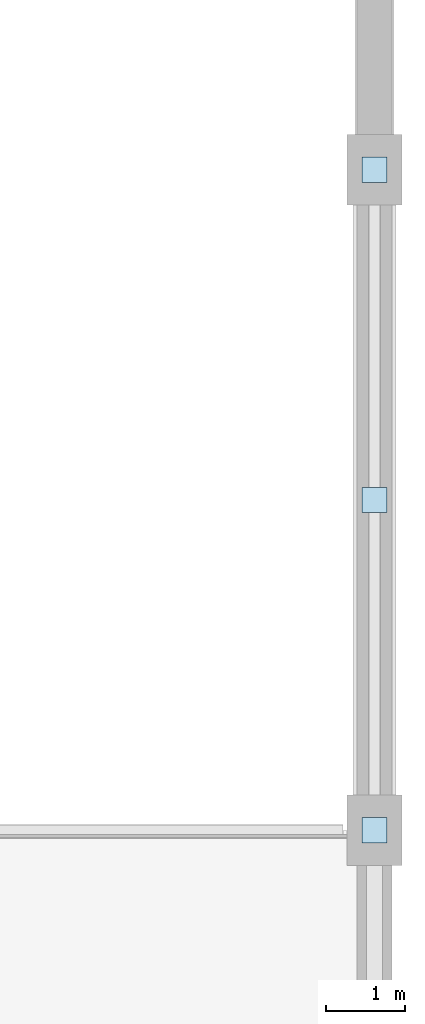
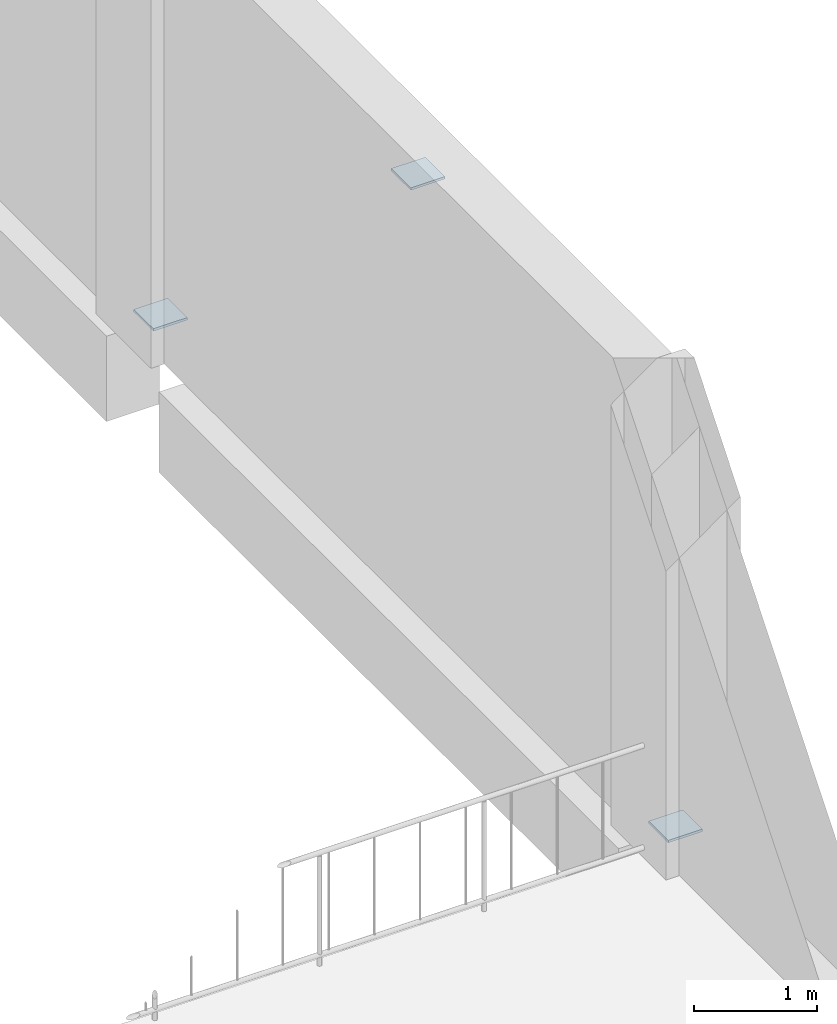
# One storey, part 55 of 75: 3 plates.
"""IFC4 building model written with IfcOpenShell, lengths in metres."""

from ifc_helpers import new_model, si_unit, derived_unit, direction, frame, origin, origin_2d, place, context, subcontext, project, spatial, rectangle, extrude, material, layer, layer_set, type_object, element, save


model = new_model("IFC4")

# Units and contexts
model_context = context("Model", 3, precision=1e-05, world=origin(), true_north=direction((0.0, 1.0)))
body_context = subcontext(model_context, "Body", "Model", "MODEL_VIEW")
ifc_project = project(units=[si_unit("LENGTHUNIT", "METRE"), si_unit("AREAUNIT", "SQUARE_METRE"), si_unit("VOLUMEUNIT", "CUBIC_METRE"), si_unit("PLANEANGLEUNIT", "RADIAN"), si_unit("MASSUNIT", "GRAM", prefix="KILO"), derived_unit("THERMALTRANSMITTANCEUNIT", [(si_unit("POWERUNIT", "WATT"), 1), (si_unit("LENGTHUNIT", "METRE"), -2), (si_unit("THERMODYNAMICTEMPERATUREUNIT", "KELVIN"), -1)])], contexts=[model_context])

# Site, building, storey
site_placement = place(None, origin())
site = spatial("IfcSite", under=ifc_project, at=site_placement, CompositionType="ELEMENT")
building_placement = place(site_placement, origin())
building = spatial("IfcBuilding", under=site, at=building_placement, Name="Barrovel Congress Hotel", CompositionType="ELEMENT")
storey_placement = place(building_placement, frame((0.0, 0.0, 5.39990234375)))
storey = spatial("IfcBuildingStorey", under=building, at=storey_placement, Name="L01", CompositionType="ELEMENT", Elevation=5.39990234375)

# Plates
ifc_material = material(Name="Steel ASTM A992 Grade 50", Category="steel")
ifc_layer = layer(ifc_material, 0.02392578125)
ifc_layer_set = layer_set([ifc_layer], Name="Steel ASTM A992 Grade 50")
plate_type = type_object("IfcPlateType", Name="GP-24", PredefinedType="SHEET", material=ifc_layer_set)
for number, where, z_axis, x_axis, name in (
    (1, (176.39990234375, 37.800048828125, 0.128173828125), (0.0, 0.0, 1.0), (1.0, 0.0, 0.0), "Braced Frame Gusset Plate L01 BF4 BL"),
    (2, (176.39990234375, 46.199951171875, 0.128173828125), (0.0, 0.0, 1.0), (1.0, 0.0, 0.0), "Braced Frame Gusset Plate L01 BF4 BR"),
    (3, (176.39990234375, 42.0, 4.078125), (0.0, 0.0, 1.0), (1.0, 0.0, 0.0), "Braced Frame Gusset Plate L01 BF4 AP"),
):
    element("IfcPlate", number, at=place(storey_placement, frame(where, z_axis=z_axis, x_axis=x_axis)), inside=storey, type_object=plate_type, Name=name, PredefinedType="SHEET", context=body_context, shape_type="SweptSolid", body=[
        extrude(rectangle(XDim=0.320068359375, YDim=0.320068359375, at=origin_2d()), origin(), (0.0, 0.0, 1.0), 0.02392578125),
    ])

save(model, "model.ifc")
